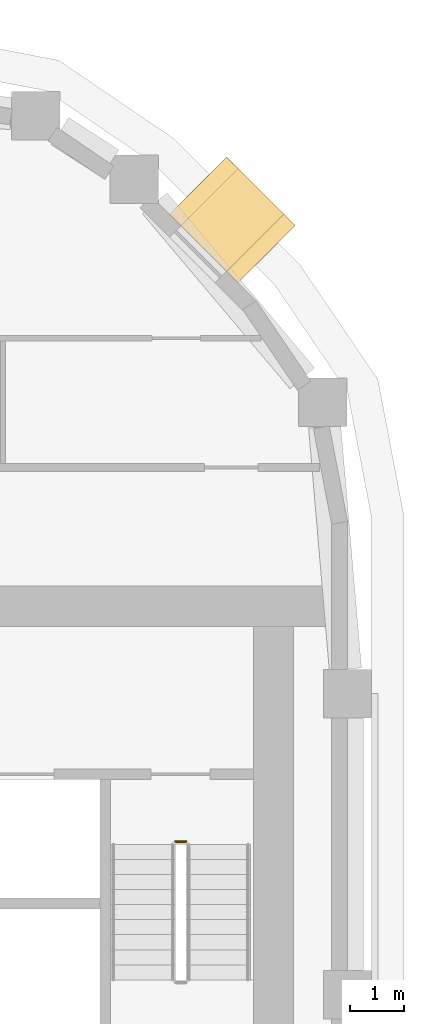
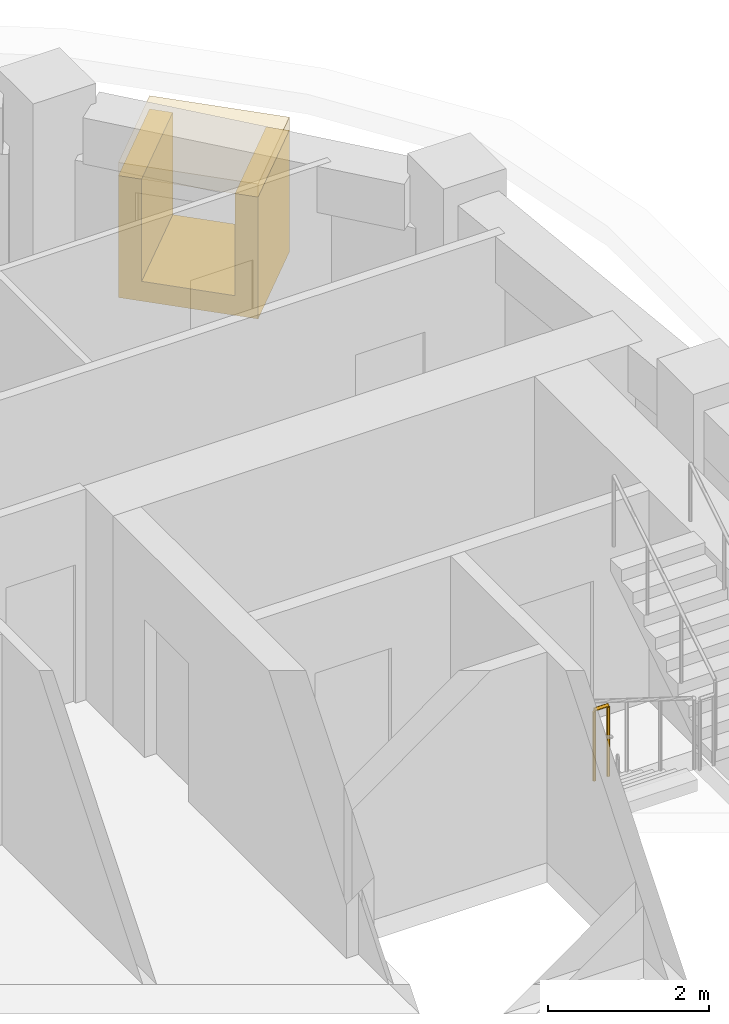
# One storey, part 20 of 20: 2 coverings, 1 railing.
"""IFC4 building model written with IfcOpenShell, lengths in metres."""

from ifc_helpers import new_model, si_unit, direction, frame, origin, origin_2d, place, context, subcontext, project, spatial, polyline, rectangle, circle, outline, extrude, material, layer, layer_set, type_object, element, save


model = new_model("IFC4")

# Units and contexts
model_context = context("Model", 3, precision=1e-05, world=origin(), true_north=direction((0.0, 1.0)))
body_context = subcontext(model_context, "Body", "Model", "MODEL_VIEW")
ifc_project = project(units=[si_unit("LENGTHUNIT", "METRE"), si_unit("AREAUNIT", "SQUARE_METRE"), si_unit("VOLUMEUNIT", "CUBIC_METRE"), si_unit("PLANEANGLEUNIT", "RADIAN"), si_unit("MASSUNIT", "GRAM", prefix="KILO")], contexts=[model_context])

# Site, building, storey
site_placement = place(None, origin())
site = spatial("IfcSite", under=ifc_project, at=site_placement, CompositionType="ELEMENT")
building_placement = place(site_placement, origin())
building = spatial("IfcBuilding", under=site, at=building_placement, Name="Kiln Ring Residences", CompositionType="ELEMENT")
storey_placement = place(building_placement, frame((0.0, 0.0, 206.39990234375)))
storey = spatial("IfcBuildingStorey", under=building, at=storey_placement, Name="L53", CompositionType="ELEMENT", Elevation=206.39990234375)

# Railing
ifc_material_1 = material(Name="Stainless steel", Category="steel")
railing_type = type_object("IfcRailingType", Name="CORE-STAIR-GUARD", PredefinedType="GUARDRAIL", material=ifc_material_1)
railing_placement = place(storey_placement, frame((22.0, 8.449951171875, 0.0)))
element("IfcRailing", 1, at=railing_placement, inside=storey, type_object=railing_type, Name="L53 E-STN stair guard 4", PredefinedType="GUARDRAIL", context=body_context, shape_type="SweptSolid", body=[
    extrude(circle(Radius=0.02392578125, at=origin_2d()), frame((0.0, 0.0, 1.076171875), z_axis=(1.0, 0.0, 0.0), x_axis=(0.0, 1.0, 0.0)), (0.0, 0.0, 1.0), 0.199951171875),
    extrude(circle(Radius=0.02099609375, at=origin_2d()), origin(), (0.0, 0.0, 1.0), 1.052001953125),
    extrude(circle(Radius=0.02099609375, at=origin_2d()), frame((0.199951171875, 0.0, 0.0)), (0.0, 0.0, 1.0), 1.052001953125),
])

# Coverings
ifc_material_2 = material(Name="Brick masonry, dark clay brick", Category="masonry")
ifc_layer_1 = layer(ifc_material_2, 0.300048828125)
ifc_layer_set_1 = layer_set([ifc_layer_1], Name="FRAME CHEEKS AND SILL 1500")
covering_type_1 = type_object("IfcCoveringType", Name="FRAME CHEEKS AND SILL 1500", PredefinedType="CLADDING", material=ifc_layer_set_1)
covering_1_placement = place(storey_placement, frame((23.697509765625, 19.36328125, 0.300048828125), z_axis=(0.0, 0.0, 1.0), x_axis=(-0.707174592913, 0.707038962956, 0.0)))
element("IfcCovering", 2, at=covering_1_placement, inside=storey, type_object=covering_type_1, Name="FRAME L53", PredefinedType="CLADDING", context=body_context, shape_type="SweptSolid", body=[
    extrude(outline(polyline([(0.0, 0.0), (1.800048828125, 0.0), (1.800048828125, 1.85009765625), (1.5009765625, 1.85009765625), (1.5, 0.300048828125), (0.300048828125, 0.300048828125), (0.299072265625, 1.85009765625), (0.0, 1.85009765625), (0.0, 0.0)])), frame((0.0, 0.75, 0.0), z_axis=(0.0, -1.0, 0.0), x_axis=(1.0, 0.0, 0.0)), (0.0, 0.0, 1.0), 1.5),
])
ifc_material_3 = material(Name="Brick masonry, dark clay brick", Category="masonry")
ifc_layer_2 = layer(ifc_material_3, 0.199951171875)
ifc_layer_set_2 = layer_set([ifc_layer_2], Name="FRAME HEAD 1500")
covering_type_2 = type_object("IfcCoveringType", Name="FRAME HEAD 1500", PredefinedType="CLADDING", material=ifc_layer_set_2)
covering_2_placement = place(storey_placement, frame((23.06103515625, 19.999755859375, 2.14990234375), z_axis=(0.0, 0.0, 1.0), x_axis=(-0.707106781187, 0.707106781187, 0.0)))
element("IfcCovering", 3, at=covering_2_placement, inside=storey, type_object=covering_type_2, Name="FRAME HEAD L53", PredefinedType="CLADDING", context=body_context, shape_type="SweptSolid", body=[
    extrude(rectangle(XDim=1.800048828125, YDim=1.5, at=origin_2d()), origin(), (0.0, 0.0, 1.0), 0.199951171875),
])

save(model, "model.ifc")
